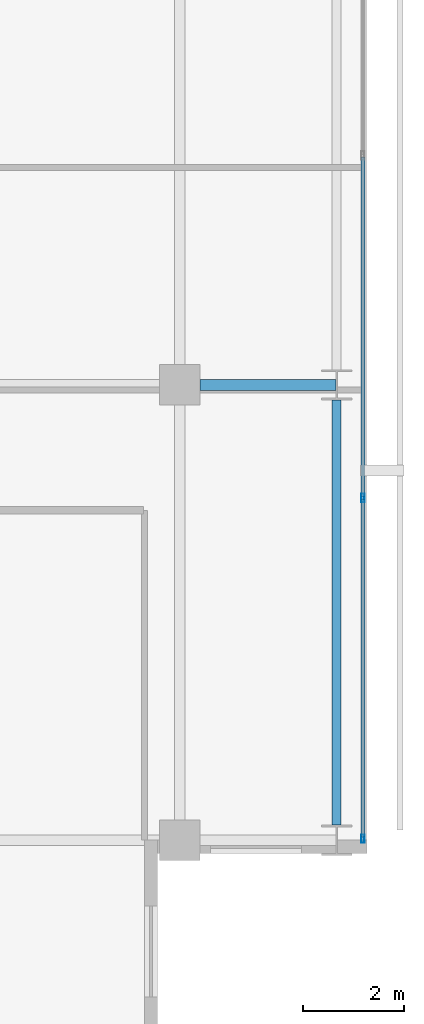
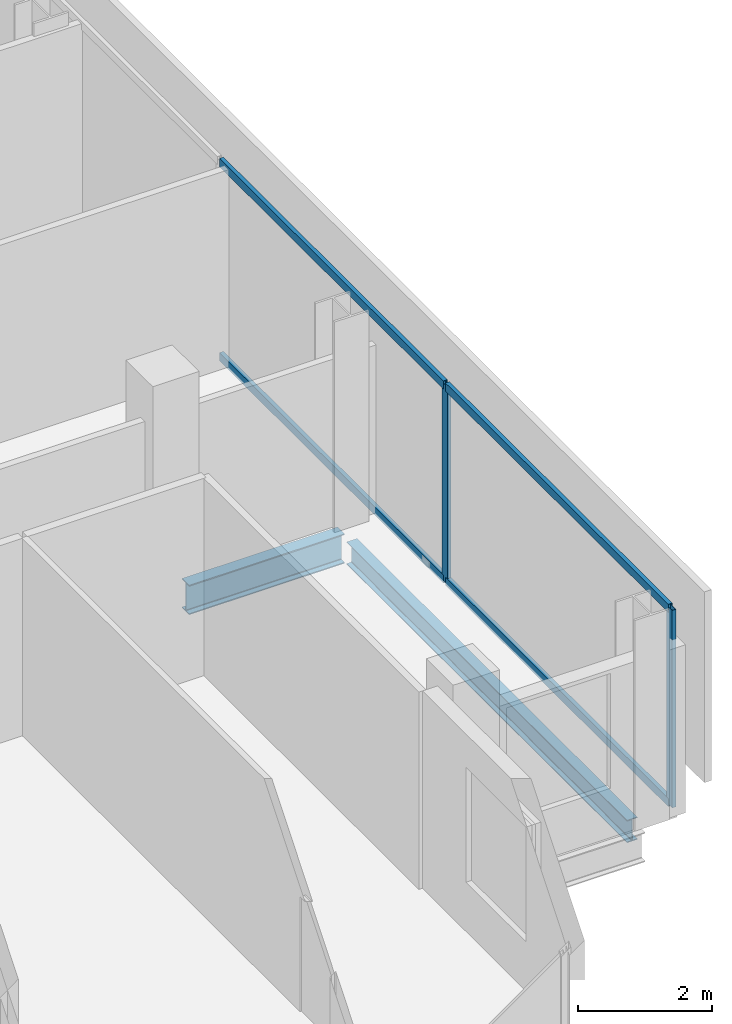
# One storey, part 15 of 34: 6 members, 2 beams, 1 element without a shape of its own.
"""IFC4 building model written with IfcOpenShell, lengths in metres."""

from ifc_helpers import new_model, si_unit, direction, frame, origin, origin_2d, place, context, subcontext, project, spatial, hollow_rectangle, i_section, extrude, material, layer, layer_set, material_profile, profile_set, type_object, element, aggregate, save


model = new_model("IFC4")

# Units and contexts
model_context = context("Model", 3, precision=1e-05, world=origin(), true_north=direction((0.0, 1.0)))
body_context = subcontext(model_context, "Body", "Model", "MODEL_VIEW")
ifc_project = project(units=[si_unit("LENGTHUNIT", "METRE"), si_unit("AREAUNIT", "SQUARE_METRE"), si_unit("VOLUMEUNIT", "CUBIC_METRE"), si_unit("PLANEANGLEUNIT", "RADIAN"), si_unit("MASSUNIT", "GRAM", prefix="KILO")], contexts=[model_context])

# Site, building, storey
site_placement = place(None, origin())
site = spatial("IfcSite", under=ifc_project, at=site_placement, CompositionType="ELEMENT")
building_placement = place(site_placement, origin())
building = spatial("IfcBuilding", under=site, at=building_placement, Name="Maruvema Waterfront Hotel and Observation Tower", CompositionType="ELEMENT")
storey_placement = place(building_placement, frame((0.0, 0.0, 208.25)))
storey = spatial("IfcBuildingStorey", under=building, at=storey_placement, Name="L51", CompositionType="ELEMENT", Elevation=208.25)

# Curtain wall, members
ifc_material_1 = material(Name="Anodised bronze aluminium and solar-control low-E IGU", Category="aluminium")
ifc_layer = layer(ifc_material_1, 0.159912109375, Name="Zone 2 Amber Inner Thermal Curtain Wall System CW-03")
ifc_layer_set = layer_set([ifc_layer], Name="Anodised bronze aluminium and solar-control low-E IGU")
curtain_wall_type = type_object("IfcCurtainWallType", Name="Zone 2 Amber Inner Thermal Curtain Wall System CW-03", PredefinedType="USERDEFINED", material=ifc_layer_set)
curtain_wall_placement = place(storey_placement, origin())
curtain_wall = element("IfcCurtainWall", 1, at=curtain_wall_placement, inside=storey, type_object=curtain_wall_type, Name="L51 Curtain Wall CW-L51-E", ObjectType="UNITISED CURTAIN WALL", PredefinedType="USERDEFINED")
ifc_material_2 = material(Name="Anodised architectural bronze aluminium", Category="aluminium")
ifc_material_profile_1 = material_profile(ifc_material_2, hollow_rectangle(XDim=0.070068359375, YDim=0.14990234375, WallThickness=0.00390625, at=origin_2d()), Name="ALU-T70x150")
ifc_profile_set_1 = profile_set([ifc_material_profile_1], Name="Anodised architectural bronze aluminium")
member_type_1 = type_object("IfcMemberType", Name="Curtain Wall Horizontal Transom ALU-T70x150", PredefinedType="USERDEFINED", material=ifc_profile_set_1)
member_1_placement = place(storey_placement, frame((62.419921875, 9.06005859375, 0.030029296875), z_axis=(0.0, 1.0, 0.0), x_axis=(-1.0, 0.0, 0.0)))
member_1 = element("IfcMember", 2, at=member_1_placement, type_object=member_type_1, Name="CW-03 transom 1.1", ObjectType="TRANSOM", PredefinedType="USERDEFINED", context=body_context, shape_type="SweptSolid", body=[
    extrude(hollow_rectangle(XDim=0.070068359375, YDim=0.14990234375, WallThickness=0.00390625, at=origin_2d()), origin(), (0.0, 0.0, 1.0), 6.676513671875),
])
member_2_placement = place(storey_placement, frame((62.419921875, 9.06005859375, 3.580078125), z_axis=(0.0, 1.0, 0.0), x_axis=(-1.0, 0.0, 0.0)))
member_2 = element("IfcMember", 3, at=member_2_placement, type_object=member_type_1, Name="CW-03 transom 1.2", ObjectType="TRANSOM", PredefinedType="USERDEFINED", context=body_context, shape_type="SweptSolid", body=[
    extrude(hollow_rectangle(XDim=0.070068359375, YDim=0.14990234375, WallThickness=0.00390625, at=origin_2d()), origin(), (0.0, 0.0, 1.0), 6.676513671875),
])
member_3_placement = place(storey_placement, frame((62.419921875, 15.796630859375, 0.030029296875), z_axis=(0.0, 1.0, 0.0), x_axis=(-1.0, 0.0, 0.0)))
member_3 = element("IfcMember", 4, at=member_3_placement, type_object=member_type_1, Name="CW-03 transom 2.1", ObjectType="TRANSOM", PredefinedType="USERDEFINED", context=body_context, shape_type="SweptSolid", body=[
    extrude(hollow_rectangle(XDim=0.070068359375, YDim=0.14990234375, WallThickness=0.00390625, at=origin_2d()), origin(), (0.0, 0.0, 1.0), 6.706787109375),
])
member_4_placement = place(storey_placement, frame((62.419921875, 15.796630859375, 3.580078125), z_axis=(0.0, 1.0, 0.0), x_axis=(-1.0, 0.0, 0.0)))
member_4 = element("IfcMember", 5, at=member_4_placement, type_object=member_type_1, Name="CW-03 transom 2.2", ObjectType="TRANSOM", PredefinedType="USERDEFINED", context=body_context, shape_type="SweptSolid", body=[
    extrude(hollow_rectangle(XDim=0.070068359375, YDim=0.14990234375, WallThickness=0.00390625, at=origin_2d()), origin(), (0.0, 0.0, 1.0), 6.706787109375),
])
ifc_material_3 = material(Name="Anodised architectural bronze aluminium", Category="aluminium")
ifc_material_profile_2 = material_profile(ifc_material_3, hollow_rectangle(XDim=0.06494140625, YDim=0.1650390625, WallThickness=0.00390625, at=origin_2d()), Name="ALU-M65x165")
ifc_profile_set_2 = profile_set([ifc_material_profile_2], Name="Anodised architectural bronze aluminium")
member_type_2 = type_object("IfcMemberType", Name="Curtain Wall Primary Mullion ALU-M65x165", PredefinedType="MULLION", material=ifc_profile_set_2)
member_5_placement = place(storey_placement, frame((62.419921875, 9.030029296875, 0.0), z_axis=(0.0, 0.0, 1.0), x_axis=(-1.0, 0.0, 0.0)))
member_5 = element("IfcMember", 6, at=member_5_placement, type_object=member_type_2, Name="CW-03 mullion 1", PredefinedType="MULLION", context=body_context, shape_type="SweptSolid", body=[
    extrude(hollow_rectangle(XDim=0.06494140625, YDim=0.1650390625, WallThickness=0.00390625, at=origin_2d()), origin(), (0.0, 0.0, 1.0), 3.610107421875),
])
member_6_placement = place(storey_placement, frame((62.419921875, 15.7666015625, 0.0), z_axis=(0.0, 0.0, 1.0), x_axis=(-1.0, 0.0, 0.0)))
member_6 = element("IfcMember", 7, at=member_6_placement, type_object=member_type_2, Name="CW-03 mullion 2", PredefinedType="MULLION", context=body_context, shape_type="SweptSolid", body=[
    extrude(hollow_rectangle(XDim=0.06494140625, YDim=0.1650390625, WallThickness=0.00390625, at=origin_2d()), origin(), (0.0, 0.0, 1.0), 3.610107421875),
])
aggregate(curtain_wall, [member_5, member_6, member_1, member_2, member_3, member_4])

# Beams
ifc_material_4 = material(Name="Steel ASTM A572 Grade 50", Category="steel")
ifc_material_profile_3 = material_profile(ifc_material_4, i_section(OverallWidth=0.178955078125, OverallDepth=0.409912109375, WebThickness=0.0087890625, FlangeThickness=0.014404296875, FilletRadius=0.014892578125, at=origin_2d()), Name="W410x67.0")
ifc_profile_set_3 = profile_set([ifc_material_profile_3], Name="Steel ASTM A572 Grade 50")
beam_type_1 = type_object("IfcBeamType", Name="Perimeter Spandrel Beam W410x67.0", PredefinedType="SPANDREL", material=ifc_profile_set_3)
beam_1_placement = place(storey_placement, frame((61.89990234375, 9.300048828125, -0.445068359375), z_axis=(0.0, 1.0, 0.0), x_axis=(-1.0, 0.0, 0.0)))
element("IfcBeam", 8, at=beam_1_placement, inside=storey, type_object=beam_type_1, Name="L51 Floor Girder NS-29", PredefinedType="SPANDREL", context=body_context, shape_type="SweptSolid", body=[
    extrude(i_section(OverallWidth=0.178955078125, OverallDepth=0.409912109375, WebThickness=0.0087890625, FlangeThickness=0.014404296875, FilletRadius=0.014892578125, at=origin_2d()), origin(), (0.0, 0.0, 1.0), 8.39990234375),
])
ifc_material_5 = material(Name="Steel ASTM A572 Grade 50", Category="steel")
ifc_material_profile_4 = material_profile(ifc_material_5, i_section(OverallWidth=0.2109375, OverallDepth=0.5390625, WebThickness=0.01171875, FlangeThickness=0.018798828125, FilletRadius=0.014892578125, at=origin_2d()), Name="W530x109.0")
ifc_profile_set_4 = profile_set([ifc_material_profile_4], Name="Steel ASTM A572 Grade 50")
beam_type_2 = type_object("IfcBeamType", Name="Primary Floor Girder W530x109.0", PredefinedType="BEAM", material=ifc_profile_set_4)
beam_2_placement = place(storey_placement, frame((59.199951171875, 18.0, -0.509521484375), z_axis=(1.0, 0.0, 0.0), x_axis=(0.0, 1.0, 0.0)))
element("IfcBeam", 9, at=beam_2_placement, inside=storey, type_object=beam_type_2, Name="L51 Floor Girder EW-17", PredefinedType="BEAM", context=body_context, shape_type="SweptSolid", body=[
    extrude(i_section(OverallWidth=0.2109375, OverallDepth=0.5390625, WebThickness=0.01171875, FlangeThickness=0.018798828125, FilletRadius=0.014892578125, at=origin_2d()), origin(), (0.0, 0.0, 1.0), 2.6875),
])

save(model, "model.ifc")
